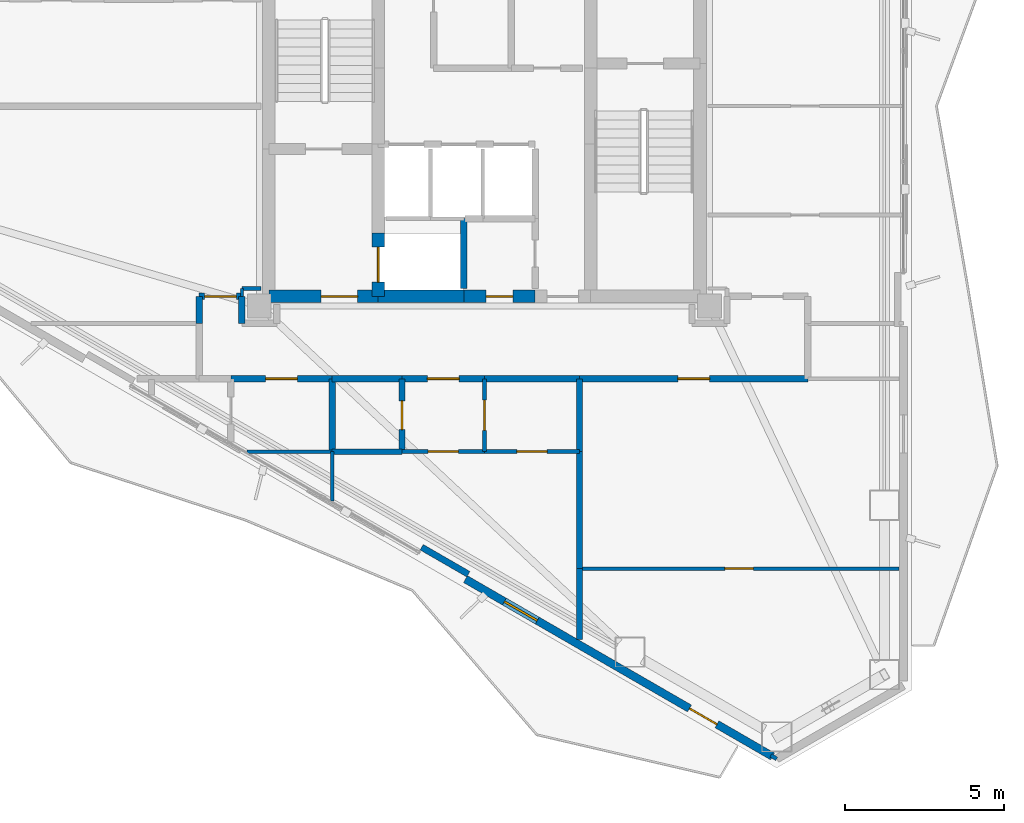
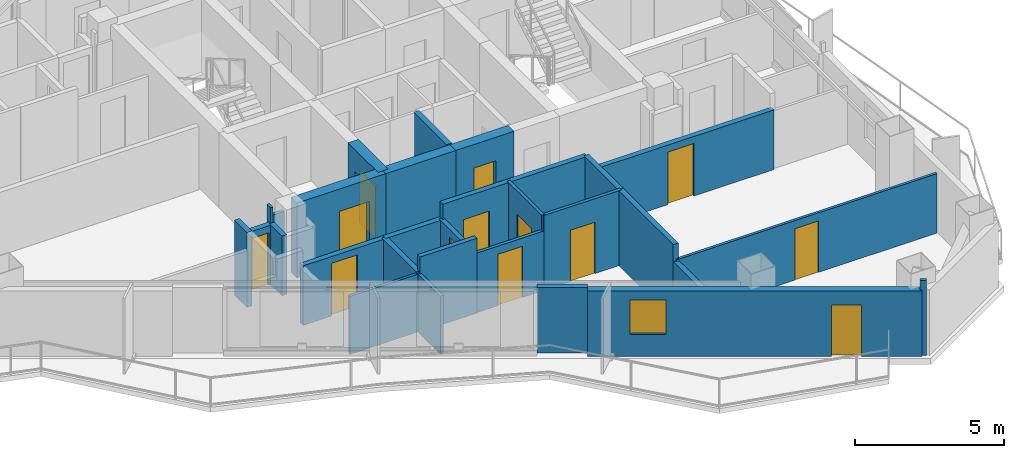
# One storey, part 12 of 18: 30 walls, 13 doors, 1 window, 14 openings.
"""IFC4 building model written with IfcOpenShell, lengths in metres."""

from ifc_helpers import new_model, si_unit, direction, frame, frame_2d, origin, place, context, subcontext, project, spatial, rectangle, extrude, material, layer, layer_set, type_object, element, fill, save


model = new_model("IFC4")

# Units and contexts
model_context = context("Model", 3, precision=1e-05, world=origin(), true_north=direction((0.0, 1.0)))
body_context = subcontext(model_context, "Body", "Model", "MODEL_VIEW")
ifc_project = project(units=[si_unit("LENGTHUNIT", "METRE"), si_unit("AREAUNIT", "SQUARE_METRE"), si_unit("VOLUMEUNIT", "CUBIC_METRE"), si_unit("PLANEANGLEUNIT", "RADIAN"), si_unit("MASSUNIT", "GRAM", prefix="KILO")], contexts=[model_context])

# Site, building, storey
site_placement = place(None, origin())
site = spatial("IfcSite", under=ifc_project, at=site_placement, CompositionType="ELEMENT")
building_placement = place(site_placement, origin())
building = spatial("IfcBuilding", under=site, at=building_placement, Name="Mersakhor Tower and Convention Hall", CompositionType="ELEMENT")
storey_placement = place(building_placement, frame((0.0, 0.0, 150.89990234375)))
storey = spatial("IfcBuildingStorey", under=building, at=storey_placement, Name="L42", CompositionType="ELEMENT", Elevation=150.89990234375)

# Wall, openings, door, window
ifc_material_1 = material(Name="Precast concrete C40/50", Category="concrete")
ifc_layer_1 = layer(ifc_material_1, 0.25)
ifc_layer_set_1 = layer_set([ifc_layer_1], Name="Precast concrete C40/50")
wall_type_1 = type_object("IfcWallType", Name="WL-EXT-250", PredefinedType="SOLIDWALL", material=ifc_layer_set_1)
wall_1_placement = place(storey_placement, frame((38.090576171875, 6.2373046875, 0.0), z_axis=(0.0, 0.0, 1.0), x_axis=(-0.86602239209, 0.500005216371, 0.0)))
wall_1 = element("IfcWall", 1, at=wall_1_placement, inside=storey, type_object=wall_type_1, Name="L42 Exterior Facade Wall F3-B1", PredefinedType="SOLIDWALL", context=body_context, shape_type="SweptSolid", body=[
    extrude(rectangle(XDim=11.18603515625, YDim=0.25, at=frame_2d((5.593017578125, 0.0))), origin(), (0.0, 0.0, 1.0), 2.68017578125),
])
opening_1_placement = place(wall_1_placement, frame((2.027099609375, 0.0, 0.0)))
opening_1 = element("IfcOpeningElement", 2, at=opening_1_placement, cuts=wall_1, Name="Opening BD-01", PredefinedType="OPENING", context=body_context, shape_type="SweptSolid", body=[
    extrude(rectangle(XDim=1.0, YDim=2.10009765625, at=frame_2d((0.5, 1.050048828125))), frame((0.0, 0.135009765625, 0.0), z_axis=(0.0, -1.0, 0.0), x_axis=(1.0, 0.0, 0.0)), (0.0, 0.0, 1.0), 0.27001953125),
])
opening_2_placement = place(wall_1_placement, frame((8.571044921875, 0.0, 0.89990234375)))
opening_2 = element("IfcOpeningElement", 3, at=opening_2_placement, cuts=wall_1, Name="Opening W-01", PredefinedType="OPENING", context=body_context, shape_type="SweptSolid", body=[
    extrude(rectangle(XDim=1.199951171875, YDim=1.39990234375, at=frame_2d((0.60009765625, 0.699951171875))), frame((0.0, 0.135009765625, 0.0), z_axis=(0.0, -1.0, 0.0), x_axis=(1.0, 0.0, 0.0)), (0.0, 0.0, 1.0), 0.27001953125),
])
ifc_material_2 = material(Name="Thermally broken dark aluminium and safety glass", Category="aluminium")
door_type_1 = type_object("IfcDoorType", Name="DR-BAL-100x210", OperationType="NOTDEFINED", PredefinedType="DOOR", material=ifc_material_2)
door_1_placement = place(opening_1_placement, origin())
door_1 = element("IfcDoor", 4, at=door_1_placement, inside=storey, type_object=door_type_1, Name="L42 Balcony Terrace Door F3-B1", OperationType="SINGLE_SWING_LEFT", OverallHeight=2.10009765625, OverallWidth=1.0, PredefinedType="DOOR", context=body_context, shape_type="SweptSolid", body=[
    extrude(rectangle(XDim=1.0, YDim=2.10009765625, at=frame_2d((0.5, 1.050048828125))), frame((0.0, 0.02490234375, 0.0), z_axis=(0.0, -1.0, 0.0), x_axis=(1.0, 0.0, 0.0)), (0.0, 0.0, 1.0), 0.050048828125),
])
fill(opening_1, door_1)
ifc_material_3 = material(Name="Dark solar low-E glazed aluminium window", Category="aluminium")
window_type = type_object("IfcWindowType", Name="WN-RES-120x150", PartitioningType="SINGLE_PANEL", PredefinedType="WINDOW", material=ifc_material_3)
window_placement = place(opening_2_placement, origin())
window = element("IfcWindow", 5, at=window_placement, inside=storey, type_object=window_type, Name="L42 Bedroom Facade Window F3-B1-1", OverallHeight=1.39990234375, OverallWidth=1.199951171875, PartitioningType="SINGLE_PANEL", PredefinedType="WINDOW", context=body_context, shape_type="SweptSolid", body=[
    extrude(rectangle(XDim=1.199951171875, YDim=1.39990234375, at=frame_2d((0.60009765625, 0.699951171875))), frame((0.0, 0.030029296875, 0.0), z_axis=(0.0, -1.0, 0.0), x_axis=(1.0, 0.0, 0.0)), (0.0, 0.0, 1.0), 0.06005859375),
])
fill(opening_2, window)

# Wall
ifc_material_4 = material(Name="Precast concrete C40/50", Category="concrete")
ifc_layer_2 = layer(ifc_material_4, 0.199951171875)
ifc_layer_set_2 = layer_set([ifc_layer_2], Name="Precast concrete C40/50")
wall_type_2 = type_object("IfcWallType", Name="WL-PAR-200", PredefinedType="PARAPET", material=ifc_layer_set_2)
wall_2_placement = place(storey_placement, frame((28.4931640625, 11.986328125, 0.0), z_axis=(0.0, 0.0, 1.0), x_axis=(-0.86605165483, 0.499954529098, 0.0)))
element("IfcWall", 6, at=wall_2_placement, inside=storey, type_object=wall_type_2, Name="L42 Column Pier Cladding Wall F3-C1", PredefinedType="PARAPET", context=body_context, shape_type="SweptSolid", body=[
    extrude(rectangle(XDim=1.699951171875, YDim=0.199951171875, at=frame_2d((0.85009765625, 0.0))), origin(), (0.0, 0.0, 1.0), 2.68017578125),
])

# Wall, opening, door
ifc_material_5 = material(Name="Moisture-resistant acoustic drywall studwork", Category="other")
ifc_layer_3 = layer(ifc_material_5, 0.175048828125)
ifc_layer_set_3 = layer_set([ifc_layer_3], Name="Moisture-resistant acoustic drywall studwork")
wall_type_3 = type_object("IfcWallType", Name="WL-PLM-175", PredefinedType="PLUMBINGWALL", material=ifc_layer_set_3)
wall_3_placement = place(storey_placement, frame((26.39990234375, 15.85009765625, 0.0), z_axis=(0.0, 0.0, 1.0), x_axis=(0.0, 1.0, 0.0)))
wall_3 = element("IfcWall", 7, at=wall_3_placement, inside=storey, type_object=wall_type_3, Name="L42 Interior Partition Wall P-056", PredefinedType="PLUMBINGWALL", context=body_context, shape_type="SweptSolid", body=[
    extrude(rectangle(XDim=2.2998046875, YDim=0.175048828125, at=frame_2d((1.14990234375, 0.0))), origin(), (0.0, 0.0, 1.0), 2.432861328125),
])
opening_3_placement = place(wall_3_placement, frame((0.699951171875, 0.0, 0.0)))
opening_3 = element("IfcOpeningElement", 8, at=opening_3_placement, cuts=wall_3, Name="Opening WD-01", PredefinedType="OPENING", context=body_context, shape_type="SweptSolid", body=[
    extrude(rectangle(XDim=0.89990234375, YDim=2.10009765625, at=frame_2d((0.449951171875, 1.050048828125))), frame((0.0, 0.097412109375, 0.0), z_axis=(0.0, -1.0, 0.0), x_axis=(1.0, 0.0, 0.0)), (0.0, 0.0, 1.0), 0.195068359375),
])
ifc_material_6 = material(Name="Solid-core hardwood leaf in painted steel frame", Category="steel")
door_type_2 = type_object("IfcDoorType", Name="DR-INT-WET-090x210", OperationType="NOTDEFINED", PredefinedType="DOOR", material=ifc_material_6)
door_2_placement = place(opening_3_placement, origin())
door_2 = element("IfcDoor", 9, at=door_2_placement, inside=storey, type_object=door_type_2, Name="L42 L42 Flat S4 Apartment Hall to L42 Flat S4 Bathroom Door", OperationType="SINGLE_SWING_RIGHT", OverallHeight=2.10009765625, OverallWidth=0.89990234375, PredefinedType="DOOR", context=body_context, shape_type="SweptSolid", body=[
    extrude(rectangle(XDim=0.89990234375, YDim=2.10009765625, at=frame_2d((0.449951171875, 1.050048828125))), frame((0.0, 0.02490234375, 0.0), z_axis=(0.0, -1.0, 0.0), x_axis=(1.0, 0.0, 0.0)), (0.0, 0.0, 1.0), 0.050048828125),
])
fill(opening_3, door_2)

# Wall
wall_4_placement = place(storey_placement, frame((26.39990234375, 15.85009765625, 0.0), z_axis=(0.0, 0.0, 1.0), x_axis=(-1.0, 0.0, 0.0)))
element("IfcWall", 10, at=wall_4_placement, inside=storey, type_object=wall_type_3, Name="L42 Interior Partition Wall P-067", PredefinedType="PLUMBINGWALL", context=body_context, shape_type="SweptSolid", body=[
    extrude(rectangle(XDim=2.199951171875, YDim=0.175048828125, at=frame_2d((1.10009765625, 0.0))), origin(), (0.0, 0.0, 1.0), 3.06005859375),
])

# Wall, opening, door
ifc_material_7 = material(Name="Lightweight gypsum partition", Category="other")
ifc_layer_4 = layer(ifc_material_7, 0.10009765625)
ifc_layer_set_4 = layer_set([ifc_layer_4], Name="Lightweight gypsum partition")
wall_type_4 = type_object("IfcWallType", Name="WL-PRT-100", PredefinedType="PARTITIONING", material=ifc_layer_set_4)
wall_5_placement = place(storey_placement, frame((32.0, 12.159912109375, 0.0), z_axis=(0.0, 0.0, 1.0), x_axis=(1.0, 0.0, 0.0)))
wall_5 = element("IfcWall", 11, at=wall_5_placement, inside=storey, type_object=wall_type_4, Name="L42 Interior Partition Wall P-086", PredefinedType="PARTITIONING", context=body_context, shape_type="SweptSolid", body=[
    extrude(rectangle(XDim=10.0703125, YDim=0.10009765625, at=frame_2d((5.03515625, 0.0))), origin(), (0.0, 0.0, 1.0), 2.432861328125),
])
opening_4_placement = place(wall_5_placement, frame((4.585205078125, 0.0, 0.0)))
opening_4 = element("IfcOpeningElement", 12, at=opening_4_placement, cuts=wall_5, Name="Opening WD-01", PredefinedType="OPENING", context=body_context, shape_type="SweptSolid", body=[
    extrude(rectangle(XDim=0.89990234375, YDim=2.10009765625, at=frame_2d((0.449951171875, 1.050048828125))), frame((0.0, 0.06005859375, 0.0), z_axis=(0.0, -1.0, 0.0), x_axis=(1.0, 0.0, 0.0)), (0.0, 0.0, 1.0), 0.1201171875),
])
door_3_placement = place(opening_4_placement, origin())
door_3 = element("IfcDoor", 13, at=door_3_placement, inside=storey, type_object=door_type_2, Name="L42 L42 South-East Residents Lounge to L42 South-East Residents Lounge Annex Door", OperationType="SINGLE_SWING_RIGHT", OverallHeight=2.10009765625, OverallWidth=0.89990234375, PredefinedType="DOOR", context=body_context, shape_type="SweptSolid", body=[
    extrude(rectangle(XDim=0.89990234375, YDim=2.10009765625, at=frame_2d((0.449951171875, 1.050048828125))), frame((0.0, 0.02490234375, 0.0), z_axis=(0.0, -1.0, 0.0), x_axis=(1.0, 0.0, 0.0)), (0.0, 0.0, 1.0), 0.050048828125),
])
fill(opening_4, door_3)

# Walls
wall_6_placement = place(storey_placement, frame((21.35009765625, 21.0, 0.0), z_axis=(0.0, 0.0, 1.0), x_axis=(0.0, -1.0, 0.0)))
element("IfcWall", 14, at=wall_6_placement, inside=storey, type_object=wall_type_4, Name="L42 Interior Partition Wall P-092", PredefinedType="PARTITIONING", context=body_context, shape_type="SweptSolid", body=[
    extrude(rectangle(XDim=0.25, YDim=0.10009765625, at=frame_2d((0.125, 0.0))), origin(), (0.0, 0.0, 1.0), 3.06005859375),
])
wall_7_placement = place(storey_placement, frame((24.199951171875, 15.85009765625, 0.0), z_axis=(0.0, 0.0, 1.0), x_axis=(-1.0, 0.0, 0.0)))
element("IfcWall", 15, at=wall_7_placement, inside=storey, type_object=wall_type_4, Name="L42 Interior Partition Wall P-114", PredefinedType="PARTITIONING", context=body_context, shape_type="SweptSolid", body=[
    extrude(rectangle(XDim=2.68994140625, YDim=0.10009765625, at=frame_2d((1.344970703125, 0.0))), origin(), (0.0, 0.0, 1.0), 2.364990234375),
])

# Wall, opening, door
ifc_material_8 = material(Name="Gypsum board acoustic partition", Category="other")
ifc_layer_5 = layer(ifc_material_8, 0.125)
ifc_layer_set_5 = layer_set([ifc_layer_5], Name="Gypsum board acoustic partition")
wall_type_5 = type_object("IfcWallType", Name="WL-PRT-125", PredefinedType="PARTITIONING", material=ifc_layer_set_5)
wall_8_placement = place(storey_placement, frame((29.0, 15.85009765625, 0.0), z_axis=(0.0, 0.0, 1.0), x_axis=(-1.0, 0.0, 0.0)))
wall_8 = element("IfcWall", 16, at=wall_8_placement, inside=storey, type_object=wall_type_5, Name="L42 Interior Partition Wall P-055", PredefinedType="PARTITIONING", context=body_context, shape_type="SweptSolid", body=[
    extrude(rectangle(XDim=2.60009765625, YDim=0.125, at=frame_2d((1.300048828125, 0.0))), origin(), (0.0, 0.0, 1.0), 2.432861328125),
])
opening_5_placement = place(wall_8_placement, frame((0.824951171875, 0.0, 0.0)))
opening_5 = element("IfcOpeningElement", 17, at=opening_5_placement, cuts=wall_8, Name="Opening RD-01", PredefinedType="OPENING", context=body_context, shape_type="SweptSolid", body=[
    extrude(rectangle(XDim=0.949951171875, YDim=2.10009765625, at=frame_2d((0.47509765625, 1.050048828125))), frame((0.0, 0.072509765625, 0.0), z_axis=(0.0, -1.0, 0.0), x_axis=(1.0, 0.0, 0.0)), (0.0, 0.0, 1.0), 0.14501953125),
])
ifc_material_9 = material(Name="Solid-core hardwood leaf in painted steel frame", Category="steel")
door_type_3 = type_object("IfcDoorType", Name="DR-INT-RM-095x210", OperationType="NOTDEFINED", PredefinedType="DOOR", material=ifc_material_9)
door_4_placement = place(opening_5_placement, origin())
door_4 = element("IfcDoor", 18, at=door_4_placement, inside=storey, type_object=door_type_3, Name="L42 L42 Flat S4 Apartment Hall to L42 Flat S4 Studio Living and Sleeping Room Door", OperationType="SINGLE_SWING_RIGHT", OverallHeight=2.10009765625, OverallWidth=0.949951171875, PredefinedType="DOOR", context=body_context, shape_type="SweptSolid", body=[
    extrude(rectangle(XDim=0.949951171875, YDim=2.10009765625, at=frame_2d((0.47509765625, 1.050048828125))), frame((0.0, 0.02490234375, 0.0), z_axis=(0.0, -1.0, 0.0), x_axis=(1.0, 0.0, 0.0)), (0.0, 0.0, 1.0), 0.050048828125),
])
fill(opening_5, door_4)

wall_9_placement = place(storey_placement, frame((29.0, 18.14990234375, 0.0), z_axis=(0.0, 0.0, 1.0), x_axis=(0.0, -1.0, 0.0)))
wall_9 = element("IfcWall", 19, at=wall_9_placement, inside=storey, type_object=wall_type_5, Name="L42 Interior Partition Wall P-057", PredefinedType="PARTITIONING", context=body_context, shape_type="SweptSolid", body=[
    extrude(rectangle(XDim=2.2998046875, YDim=0.125, at=frame_2d((1.14990234375, 0.0))), origin(), (0.0, 0.0, 1.0), 3.06005859375),
])
opening_6_placement = place(wall_9_placement, frame((0.675048828125, 0.0, 0.0)))
opening_6 = element("IfcOpeningElement", 20, at=opening_6_placement, cuts=wall_9, Name="Opening RD-01", PredefinedType="OPENING", context=body_context, shape_type="SweptSolid", body=[
    extrude(rectangle(XDim=0.949951171875, YDim=2.10009765625, at=frame_2d((0.47509765625, 1.050048828125))), frame((0.0, 0.072509765625, 0.0), z_axis=(0.0, -1.0, 0.0), x_axis=(1.0, 0.0, 0.0)), (0.0, 0.0, 1.0), 0.14501953125),
])
door_5_placement = place(opening_6_placement, origin())
door_5 = element("IfcDoor", 21, at=door_5_placement, inside=storey, type_object=door_type_3, Name="L42 L42 Flat S4 Apartment Hall to L42 Flat S4 Kitchen Door", OperationType="SINGLE_SWING_LEFT", OverallHeight=2.10009765625, OverallWidth=0.949951171875, PredefinedType="DOOR", context=body_context, shape_type="SweptSolid", body=[
    extrude(rectangle(XDim=0.949951171875, YDim=2.10009765625, at=frame_2d((0.47509765625, 1.050048828125))), frame((0.0, 0.02490234375, 0.0), z_axis=(0.0, -1.0, 0.0), x_axis=(1.0, 0.0, 0.0)), (0.0, 0.0, 1.0), 0.050048828125),
])
fill(opening_6, door_5)

wall_10_placement = place(storey_placement, frame((32.0, 15.85009765625, 0.0), z_axis=(0.0, 0.0, 1.0), x_axis=(-1.0, 0.0, 0.0)))
wall_10 = element("IfcWall", 22, at=wall_10_placement, inside=storey, type_object=wall_type_5, Name="L42 Interior Partition Wall P-069", PredefinedType="PARTITIONING", context=body_context, shape_type="SweptSolid", body=[
    extrude(rectangle(XDim=3.0, YDim=0.125, at=frame_2d((1.5, 0.0))), origin(), (0.0, 0.0, 1.0), 3.06005859375),
])
opening_7_placement = place(wall_10_placement, frame((1.02490234375, 0.0, 0.0)))
opening_7 = element("IfcOpeningElement", 23, at=opening_7_placement, cuts=wall_10, Name="Opening RD-01", PredefinedType="OPENING", context=body_context, shape_type="SweptSolid", body=[
    extrude(rectangle(XDim=0.949951171875, YDim=2.10009765625, at=frame_2d((0.47509765625, 1.050048828125))), frame((0.0, 0.072509765625, 0.0), z_axis=(0.0, -1.0, 0.0), x_axis=(1.0, 0.0, 0.0)), (0.0, 0.0, 1.0), 0.14501953125),
])
door_6_placement = place(opening_7_placement, origin())
door_6 = element("IfcDoor", 24, at=door_6_placement, inside=storey, type_object=door_type_3, Name="L42 L42 Flat S4 Kitchen to L42 Flat S4 Studio Living and Sleeping Room Door", OperationType="SINGLE_SWING_RIGHT", OverallHeight=2.10009765625, OverallWidth=0.949951171875, PredefinedType="DOOR", context=body_context, shape_type="SweptSolid", body=[
    extrude(rectangle(XDim=0.949951171875, YDim=2.10009765625, at=frame_2d((0.47509765625, 1.050048828125))), frame((0.0, 0.02490234375, 0.0), z_axis=(0.0, -1.0, 0.0), x_axis=(1.0, 0.0, 0.0)), (0.0, 0.0, 1.0), 0.050048828125),
])
fill(opening_7, door_6)

# Walls
wall_11_placement = place(storey_placement, frame((38.220703125, 6.162109375, 0.0), z_axis=(0.0, 0.0, 1.0), x_axis=(-0.865581379588, 0.500768285049, 0.0)))
element("IfcWall", 25, at=wall_11_placement, inside=storey, type_object=wall_type_5, Name="L42 Interior Partition Wall P-087", PredefinedType="PARTITIONING", context=body_context, shape_type="SweptSolid", body=[
    extrude(rectangle(XDim=0.215576171875, YDim=0.125, at=frame_2d((0.10791015625, 0.0))), origin(), (0.0, 0.0, 1.0), 3.06005859375),
])
wall_12_placement = place(storey_placement, frame((21.949951171875, 21.0, 0.0), z_axis=(0.0, 0.0, 1.0), x_axis=(-1.0, 0.0, 0.0)))
element("IfcWall", 26, at=wall_12_placement, inside=storey, type_object=wall_type_5, Name="L42 Interior Partition Wall P-091", PredefinedType="PARTITIONING", context=body_context, shape_type="SweptSolid", body=[
    extrude(rectangle(XDim=0.599853515625, YDim=0.125, at=frame_2d((0.2998046875, 0.0))), origin(), (0.0, 0.0, 1.0), 2.585205078125),
])
wall_13_placement = place(storey_placement, frame((24.199951171875, 14.301025390625, 0.0), z_axis=(0.0, 0.0, 1.0), x_axis=(0.0, 1.0, 0.0)))
element("IfcWall", 27, at=wall_13_placement, inside=storey, type_object=wall_type_5, Name="L42 Interior Partition Wall P-115", PredefinedType="PARTITIONING", context=body_context, shape_type="SweptSolid", body=[
    extrude(rectangle(XDim=1.549072265625, YDim=0.125, at=frame_2d((0.7744140625, 0.0))), origin(), (0.0, 0.0, 1.0), 2.364990234375),
])
ifc_material_10 = material(Name="Acoustic concrete blockwork and gypsum board", Category="masonry")
ifc_layer_6 = layer(ifc_material_10, 0.199951171875)
ifc_layer_set_6 = layer_set([ifc_layer_6], Name="Acoustic concrete blockwork and gypsum board")
wall_type_6 = type_object("IfcWallType", Name="WL-PRT-200", PredefinedType="PARTITIONING", material=ifc_layer_set_6)
wall_14_placement = place(storey_placement, frame((28.35009765625, 23.199951171875, 0.0), z_axis=(0.0, 0.0, 1.0), x_axis=(0.0, -1.0, 0.0)))
element("IfcWall", 28, at=wall_14_placement, inside=storey, type_object=wall_type_6, Name="L42 Interior Partition Wall P-003", PredefinedType="PARTITIONING", context=body_context, shape_type="SweptSolid", body=[
    extrude(rectangle(XDim=2.199951171875, YDim=0.199951171875, at=frame_2d((1.10009765625, 0.0))), origin(), (0.0, 0.0, 1.0), 3.06005859375),
])

# Wall, opening, door
wall_15_placement = place(storey_placement, frame((39.199951171875, 18.14990234375, 0.0), z_axis=(0.0, 0.0, 1.0), x_axis=(-1.0, 0.0, 0.0)))
wall_15 = element("IfcWall", 29, at=wall_15_placement, inside=storey, type_object=wall_type_6, Name="L42 Interior Partition Wall P-041", PredefinedType="PARTITIONING", context=body_context, shape_type="SweptSolid", body=[
    extrude(rectangle(XDim=7.199951171875, YDim=0.199951171875, at=frame_2d((3.60009765625, 0.0))), origin(), (0.0, 0.0, 1.0), 2.432861328125),
])
opening_8_placement = place(wall_15_placement, frame((3.10009765625, 0.0, 0.0)))
opening_8 = element("IfcOpeningElement", 30, at=opening_8_placement, cuts=wall_15, Name="Opening FD-01", PredefinedType="OPENING", context=body_context, shape_type="SweptSolid", body=[
    extrude(rectangle(XDim=1.0, YDim=2.14990234375, at=frame_2d((0.5, 1.074951171875))), frame((0.0, 0.10986328125, 0.0), z_axis=(0.0, -1.0, 0.0), x_axis=(1.0, 0.0, 0.0)), (0.0, 0.0, 1.0), 0.219970703125),
])
ifc_material_11 = material(Name="Fire-rated hardwood leaf and painted steel frame", Category="steel")
door_type_4 = type_object("IfcDoorType", Name="DR-INT-FLT-100x215", OperationType="NOTDEFINED", PredefinedType="DOOR", material=ifc_material_11)
door_7_placement = place(opening_8_placement, origin())
door_7 = element("IfcDoor", 31, at=door_7_placement, inside=storey, type_object=door_type_4, Name="L42 Residential South Gallery Corridor to L42 South-East Residents Lounge Annex Door", OperationType="SINGLE_SWING_LEFT", OverallHeight=2.14990234375, OverallWidth=1.0, PredefinedType="DOOR", context=body_context, shape_type="SweptSolid", body=[
    extrude(rectangle(XDim=1.0, YDim=2.14990234375, at=frame_2d((0.5, 1.074951171875))), frame((0.0, 0.02490234375, 0.0), z_axis=(0.0, -1.0, 0.0), x_axis=(1.0, 0.0, 0.0)), (0.0, 0.0, 1.0), 0.050048828125),
])
fill(opening_8, door_7)

# Wall
wall_16_placement = place(storey_placement, frame((32.0, 18.14990234375, 0.0), z_axis=(0.0, 0.0, 1.0), x_axis=(-1.0, 0.0, 0.0)))
element("IfcWall", 32, at=wall_16_placement, inside=storey, type_object=wall_type_6, Name="L42 Interior Partition Wall P-042", PredefinedType="PARTITIONING", context=body_context, shape_type="SweptSolid", body=[
    extrude(rectangle(XDim=3.0, YDim=0.199951171875, at=frame_2d((1.5, 0.0))), origin(), (0.0, 0.0, 1.0), 3.06005859375),
])

# Wall, opening, door
wall_17_placement = place(storey_placement, frame((29.0, 18.14990234375, 0.0), z_axis=(0.0, 0.0, 1.0), x_axis=(-1.0, 0.0, 0.0)))
wall_17 = element("IfcWall", 33, at=wall_17_placement, inside=storey, type_object=wall_type_6, Name="L42 Interior Partition Wall P-043", PredefinedType="PARTITIONING", context=body_context, shape_type="SweptSolid", body=[
    extrude(rectangle(XDim=2.60009765625, YDim=0.199951171875, at=frame_2d((1.300048828125, 0.0))), origin(), (0.0, 0.0, 1.0), 3.06005859375),
])
opening_9_placement = place(wall_17_placement, frame((0.800048828125, 0.0, 0.0)))
opening_9 = element("IfcOpeningElement", 34, at=opening_9_placement, cuts=wall_17, Name="Opening FD-01", PredefinedType="OPENING", context=body_context, shape_type="SweptSolid", body=[
    extrude(rectangle(XDim=1.0, YDim=2.14990234375, at=frame_2d((0.5, 1.074951171875))), frame((0.0, 0.10986328125, 0.0), z_axis=(0.0, -1.0, 0.0), x_axis=(1.0, 0.0, 0.0)), (0.0, 0.0, 1.0), 0.219970703125),
])
door_8_placement = place(opening_9_placement, origin())
door_8 = element("IfcDoor", 35, at=door_8_placement, inside=storey, type_object=door_type_4, Name="L42 Apartment Entrance Door (Residential South Gallery Corridor to L42 Flat S4 Apartment Hall)", OperationType="SINGLE_SWING_LEFT", OverallHeight=2.14990234375, OverallWidth=1.0, PredefinedType="DOOR", context=body_context, shape_type="SweptSolid", body=[
    extrude(rectangle(XDim=1.0, YDim=2.14990234375, at=frame_2d((0.5, 1.074951171875))), frame((0.0, 0.02490234375, 0.0), z_axis=(0.0, -1.0, 0.0), x_axis=(1.0, 0.0, 0.0)), (0.0, 0.0, 1.0), 0.050048828125),
])
fill(opening_9, door_8)

# Wall
wall_18_placement = place(storey_placement, frame((26.39990234375, 18.14990234375, 0.0), z_axis=(0.0, 0.0, 1.0), x_axis=(-1.0, 0.0, 0.0)))
element("IfcWall", 36, at=wall_18_placement, inside=storey, type_object=wall_type_6, Name="L42 Interior Partition Wall P-044", PredefinedType="PARTITIONING", context=body_context, shape_type="SweptSolid", body=[
    extrude(rectangle(XDim=2.199951171875, YDim=0.199951171875, at=frame_2d((1.10009765625, 0.0))), origin(), (0.0, 0.0, 1.0), 2.432861328125),
])

# Wall, opening, door
wall_19_placement = place(storey_placement, frame((24.199951171875, 18.14990234375, 0.0), z_axis=(0.0, 0.0, 1.0), x_axis=(-1.0, 0.0, 0.0)))
wall_19 = element("IfcWall", 37, at=wall_19_placement, inside=storey, type_object=wall_type_6, Name="L42 Interior Partition Wall P-045", PredefinedType="PARTITIONING", context=body_context, shape_type="SweptSolid", body=[
    extrude(rectangle(XDim=3.199951171875, YDim=0.199951171875, at=frame_2d((1.60009765625, 0.0))), origin(), (0.0, 0.0, 1.0), 2.432861328125),
])
opening_10_placement = place(wall_19_placement, frame((1.10009765625, 0.0, 0.0)))
opening_10 = element("IfcOpeningElement", 38, at=opening_10_placement, cuts=wall_19, Name="Opening FD-01", PredefinedType="OPENING", context=body_context, shape_type="SweptSolid", body=[
    extrude(rectangle(XDim=1.0, YDim=2.14990234375, at=frame_2d((0.5, 1.074951171875))), frame((0.0, 0.10986328125, 0.0), z_axis=(0.0, -1.0, 0.0), x_axis=(1.0, 0.0, 0.0)), (0.0, 0.0, 1.0), 0.219970703125),
])
door_9_placement = place(opening_10_placement, origin())
door_9 = element("IfcDoor", 39, at=door_9_placement, inside=storey, type_object=door_type_4, Name="L42 Residential South Gallery Corridor to L42 Floor Shared Tea Pantry 3-2 Door", OperationType="SINGLE_SWING_RIGHT", OverallHeight=2.14990234375, OverallWidth=1.0, PredefinedType="DOOR", context=body_context, shape_type="SweptSolid", body=[
    extrude(rectangle(XDim=1.0, YDim=2.14990234375, at=frame_2d((0.5, 1.074951171875))), frame((0.0, 0.02490234375, 0.0), z_axis=(0.0, -1.0, 0.0), x_axis=(1.0, 0.0, 0.0)), (0.0, 0.0, 1.0), 0.050048828125),
])
fill(opening_10, door_9)

# Wall
wall_20_placement = place(storey_placement, frame((20.0, 19.89990234375, 0.0), z_axis=(0.0, 0.0, 1.0), x_axis=(0.0, 1.0, 0.0)))
element("IfcWall", 40, at=wall_20_placement, inside=storey, type_object=wall_type_6, Name="L42 Interior Partition Wall P-048", PredefinedType="PARTITIONING", context=body_context, shape_type="SweptSolid", body=[
    extrude(rectangle(XDim=0.85009765625, YDim=0.199951171875, at=frame_2d((0.425048828125, 0.0))), origin(), (0.0, 0.0, 1.0), 3.06005859375),
])

# Wall, opening, door
wall_21_placement = place(storey_placement, frame((20.0, 20.75, 0.0), z_axis=(0.0, 0.0, 1.0), x_axis=(1.0, 0.0, 0.0)))
wall_21 = element("IfcWall", 41, at=wall_21_placement, inside=storey, type_object=wall_type_6, Name="L42 Interior Partition Wall P-049", PredefinedType="PARTITIONING", context=body_context, shape_type="SweptSolid", body=[
    extrude(rectangle(XDim=1.35009765625, YDim=0.199951171875, at=frame_2d((0.675048828125, 0.0))), origin(), (0.0, 0.0, 1.0), 2.432861328125),
])
opening_11_placement = place(wall_21_placement, frame((0.175048828125, 0.0, 0.0)))
opening_11 = element("IfcOpeningElement", 42, at=opening_11_placement, cuts=wall_21, Name="Opening FD-01", PredefinedType="OPENING", context=body_context, shape_type="SweptSolid", body=[
    extrude(rectangle(XDim=1.0, YDim=2.14990234375, at=frame_2d((0.5, 1.074951171875))), frame((0.0, 0.10986328125, 0.0), z_axis=(0.0, -1.0, 0.0), x_axis=(1.0, 0.0, 0.0)), (0.0, 0.0, 1.0), 0.219970703125),
])
door_10_placement = place(opening_11_placement, origin())
door_10 = element("IfcDoor", 43, at=door_10_placement, inside=storey, type_object=door_type_4, Name="L42 Residential South Gallery Corridor to L42 West South Residents Dining Room Door", OperationType="SINGLE_SWING_RIGHT", OverallHeight=2.14990234375, OverallWidth=1.0, PredefinedType="DOOR", context=body_context, shape_type="SweptSolid", body=[
    extrude(rectangle(XDim=1.0, YDim=2.14990234375, at=frame_2d((0.5, 1.074951171875))), frame((0.0, 0.02490234375, 0.0), z_axis=(0.0, -1.0, 0.0), x_axis=(1.0, 0.0, 0.0)), (0.0, 0.0, 1.0), 0.050048828125),
])
fill(opening_11, door_10)

# Walls
wall_22_placement = place(storey_placement, frame((21.35009765625, 20.75, 0.0), z_axis=(0.0, 0.0, 1.0), x_axis=(0.0, -1.0, 0.0)))
element("IfcWall", 44, at=wall_22_placement, inside=storey, type_object=wall_type_6, Name="L42 Interior Partition Wall P-050", PredefinedType="PARTITIONING", context=body_context, shape_type="SweptSolid", body=[
    extrude(rectangle(XDim=0.85009765625, YDim=0.199951171875, at=frame_2d((0.425048828125, 0.0))), origin(), (0.0, 0.0, 1.0), 2.432861328125),
])
wall_23_placement = place(storey_placement, frame((24.199951171875, 15.85009765625, 0.0), z_axis=(0.0, 0.0, 1.0), x_axis=(0.0, 1.0, 0.0)))
element("IfcWall", 45, at=wall_23_placement, inside=storey, type_object=wall_type_6, Name="L42 Interior Partition Wall P-068", PredefinedType="PARTITIONING", context=body_context, shape_type="SweptSolid", body=[
    extrude(rectangle(XDim=2.2998046875, YDim=0.199951171875, at=frame_2d((1.14990234375, 0.0))), origin(), (0.0, 0.0, 1.0), 2.432861328125),
])
wall_24_placement = place(storey_placement, frame((32.0, 18.14990234375, 0.0), z_axis=(0.0, 0.0, 1.0), x_axis=(0.0, -1.0, 0.0)))
element("IfcWall", 46, at=wall_24_placement, inside=storey, type_object=wall_type_6, Name="L42 Interior Partition Wall P-070", PredefinedType="PARTITIONING", context=body_context, shape_type="SweptSolid", body=[
    extrude(rectangle(XDim=2.2998046875, YDim=0.199951171875, at=frame_2d((1.14990234375, 0.0))), origin(), (0.0, 0.0, 1.0), 3.06005859375),
])
wall_25_placement = place(storey_placement, frame((32.0, 9.92578125, 0.0), z_axis=(0.0, 0.0, 1.0), x_axis=(0.0, 1.0, 0.0)))
element("IfcWall", 47, at=wall_25_placement, inside=storey, type_object=wall_type_6, Name="L42 Interior Partition Wall P-085", PredefinedType="PARTITIONING", context=body_context, shape_type="SweptSolid", body=[
    extrude(rectangle(XDim=2.234130859375, YDim=0.199951171875, at=frame_2d((1.1171875, 0.0))), origin(), (0.0, 0.0, 1.0), 2.364990234375),
])
wall_26_placement = place(storey_placement, frame((32.0, 12.159912109375, 0.0), z_axis=(0.0, 0.0, 1.0), x_axis=(0.0, 1.0, 0.0)))
element("IfcWall", 48, at=wall_26_placement, inside=storey, type_object=wall_type_6, Name="L42 Interior Partition Wall P-089", PredefinedType="PARTITIONING", context=body_context, shape_type="SweptSolid", body=[
    extrude(rectangle(XDim=3.690185546875, YDim=0.199951171875, at=frame_2d((1.84521484375, 0.0))), origin(), (0.0, 0.0, 1.0), 3.06005859375),
])

# Wall, opening, door
ifc_material_12 = material(Name="Concrete C60/75", Category="concrete")
ifc_layer_7 = layer(ifc_material_12, 0.39990234375)
ifc_layer_set_7 = layer_set([ifc_layer_7], Name="Concrete C60/75")
wall_type_7 = type_object("IfcWallType", Name="WL-SHR-400", PredefinedType="SHEAR", material=ifc_layer_set_7)
wall_27_placement = place(storey_placement, frame((30.60009765625, 20.75, 0.0), z_axis=(0.0, 0.0, 1.0), x_axis=(-1.0, 0.0, 0.0)))
wall_27 = element("IfcWall", 49, at=wall_27_placement, inside=storey, type_object=wall_type_7, Name="L42 Core Wall CW-S2B", PredefinedType="SHEAR", context=body_context, shape_type="SweptSolid", body=[
    extrude(rectangle(XDim=2.25, YDim=0.39990234375, at=frame_2d((1.125, 0.0))), origin(), (0.0, 0.0, 1.0), 3.06005859375),
])
opening_12_placement = place(wall_27_placement, frame((0.699951171875, 0.0, 0.0)))
opening_12 = element("IfcOpeningElement", 50, at=opening_12_placement, cuts=wall_27, Name="Opening SVD-01", PredefinedType="OPENING", context=body_context, shape_type="SweptSolid", body=[
    extrude(rectangle(XDim=0.85009765625, YDim=2.10009765625, at=frame_2d((0.425048828125, 1.050048828125))), frame((0.0, 0.2099609375, 0.0), z_axis=(0.0, -1.0, 0.0), x_axis=(1.0, 0.0, 0.0)), (0.0, 0.0, 1.0), 0.419921875),
])
ifc_material_13 = material(Name="Fire-rated hardwood leaf and painted steel frame", Category="steel")
door_type_5 = type_object("IfcDoorType", Name="DR-INT-SVC-085x210", OperationType="NOTDEFINED", PredefinedType="DOOR", material=ifc_material_13)
door_11_placement = place(opening_12_placement, origin())
door_11 = element("IfcDoor", 51, at=door_11_placement, inside=storey, type_object=door_type_5, Name="L42 Residential South Gallery Corridor to Electrical Switchroom Door", OperationType="SINGLE_SWING_RIGHT", OverallHeight=2.10009765625, OverallWidth=0.85009765625, PredefinedType="DOOR", context=body_context, shape_type="SweptSolid", body=[
    extrude(rectangle(XDim=0.85009765625, YDim=2.10009765625, at=frame_2d((0.425048828125, 1.050048828125))), frame((0.0, 0.02490234375, 0.0), z_axis=(0.0, -1.0, 0.0), x_axis=(1.0, 0.0, 0.0)), (0.0, 0.0, 1.0), 0.050048828125),
])
fill(opening_12, door_11)

# Wall
wall_28_placement = place(storey_placement, frame((28.35009765625, 20.75, 0.0), z_axis=(0.0, 0.0, 1.0), x_axis=(-1.0, 0.0, 0.0)))
element("IfcWall", 52, at=wall_28_placement, inside=storey, type_object=wall_type_7, Name="L42 Core Wall CW-S3", PredefinedType="SHEAR", context=body_context, shape_type="SweptSolid", body=[
    extrude(rectangle(XDim=2.7001953125, YDim=0.39990234375, at=frame_2d((1.35009765625, 0.0))), origin(), (0.0, 0.0, 1.0), 3.06005859375),
])

# Wall, opening, door
wall_29_placement = place(storey_placement, frame((25.64990234375, 20.75, 0.0), z_axis=(0.0, 0.0, 1.0), x_axis=(-1.0, 0.0, 0.0)))
wall_29 = element("IfcWall", 53, at=wall_29_placement, inside=storey, type_object=wall_type_7, Name="L42 Core Wall CW-S4", PredefinedType="SHEAR", context=body_context, shape_type="SweptSolid", body=[
    extrude(rectangle(XDim=3.449951171875, YDim=0.39990234375, at=frame_2d((1.72509765625, 0.0))), origin(), (0.0, 0.0, 1.0), 3.06005859375),
])
opening_13_placement = place(wall_29_placement, frame((0.64990234375, 0.0, 0.0)))
opening_13 = element("IfcOpeningElement", 54, at=opening_13_placement, cuts=wall_29, Name="Opening SD-01", PredefinedType="OPENING", context=body_context, shape_type="SweptSolid", body=[
    extrude(rectangle(XDim=1.14990234375, YDim=2.14990234375, at=frame_2d((0.574951171875, 1.074951171875))), frame((0.0, 0.2099609375, 0.0), z_axis=(0.0, -1.0, 0.0), x_axis=(1.0, 0.0, 0.0)), (0.0, 0.0, 1.0), 0.419921875),
])
ifc_material_14 = material(Name="Fire-rated hardwood leaf and painted steel frame", Category="steel")
door_type_6 = type_object("IfcDoorType", Name="DR-INT-STAIR-115x215", OperationType="NOTDEFINED", PredefinedType="DOOR", material=ifc_material_14)
door_12_placement = place(opening_13_placement, origin())
door_12 = element("IfcDoor", 55, at=door_12_placement, inside=storey, type_object=door_type_6, Name="L42 Firefighting Lobby West Fire Door", OperationType="SINGLE_SWING_LEFT", OverallHeight=2.14990234375, OverallWidth=1.14990234375, PredefinedType="DOOR", context=body_context, shape_type="SweptSolid", body=[
    extrude(rectangle(XDim=1.14990234375, YDim=2.14990234375, at=frame_2d((0.574951171875, 1.074951171875))), frame((0.0, 0.02490234375, 0.0), z_axis=(0.0, -1.0, 0.0), x_axis=(1.0, 0.0, 0.0)), (0.0, 0.0, 1.0), 0.050048828125),
])
fill(opening_13, door_12)

wall_30_placement = place(storey_placement, frame((25.64990234375, 20.75, 0.0), z_axis=(0.0, 0.0, 1.0), x_axis=(0.0, 1.0, 0.0)))
wall_30 = element("IfcWall", 56, at=wall_30_placement, inside=storey, type_object=wall_type_7, Name="L42 Core Wall CS-W-FFL", PredefinedType="SHEAR", context=body_context, shape_type="SweptSolid", body=[
    extrude(rectangle(XDim=2.0, YDim=0.39990234375, at=frame_2d((1.0, 0.0))), origin(), (0.0, 0.0, 1.0), 3.06005859375),
])
opening_14_placement = place(wall_30_placement, frame((0.449951171875, 0.0, 0.0)))
opening_14 = element("IfcOpeningElement", 57, at=opening_14_placement, cuts=wall_30, Name="Opening LD-FFL1", PredefinedType="OPENING", context=body_context, shape_type="SweptSolid", body=[
    extrude(rectangle(XDim=1.10009765625, YDim=2.14990234375, at=frame_2d((0.550048828125, 1.074951171875))), frame((0.0, 0.2099609375, 0.0), z_axis=(0.0, -1.0, 0.0), x_axis=(1.0, 0.0, 0.0)), (0.0, 0.0, 1.0), 0.419921875),
])
ifc_material_15 = material(Name="Fire-rated brushed stainless steel sliding landing door", Category="steel")
door_type_7 = type_object("IfcDoorType", Name="DR-LIFT-SLD-110x215", OperationType="NOTDEFINED", PredefinedType="DOOR", material=ifc_material_15)
door_13_placement = place(opening_14_placement, origin())
door_13 = element("IfcDoor", 58, at=door_13_placement, inside=storey, type_object=door_type_7, Name="L42 Firefighting Lift Landing Door LD-FFL1", OperationType="SLIDING_TO_LEFT", OverallHeight=2.14990234375, OverallWidth=1.10009765625, PredefinedType="DOOR", context=body_context, shape_type="SweptSolid", body=[
    extrude(rectangle(XDim=1.10009765625, YDim=2.14990234375, at=frame_2d((0.550048828125, 1.074951171875))), frame((0.0, 0.02490234375, 0.0), z_axis=(0.0, -1.0, 0.0), x_axis=(1.0, 0.0, 0.0)), (0.0, 0.0, 1.0), 0.050048828125),
])
fill(opening_14, door_13)

save(model, "model.ifc")
